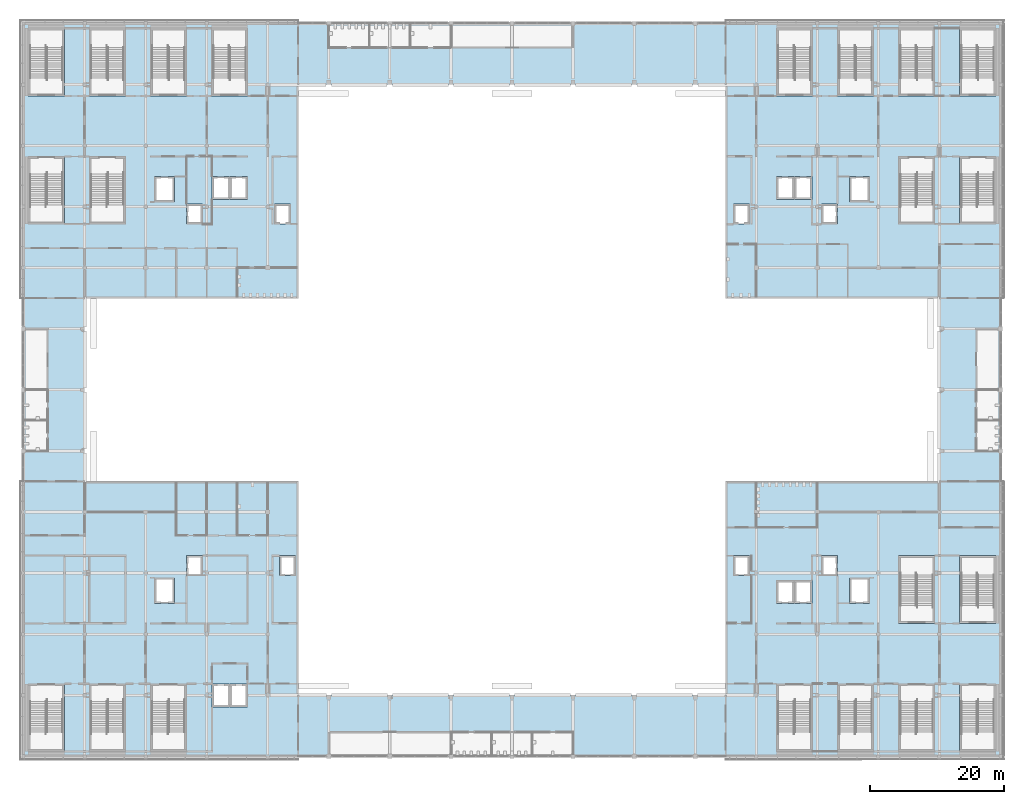
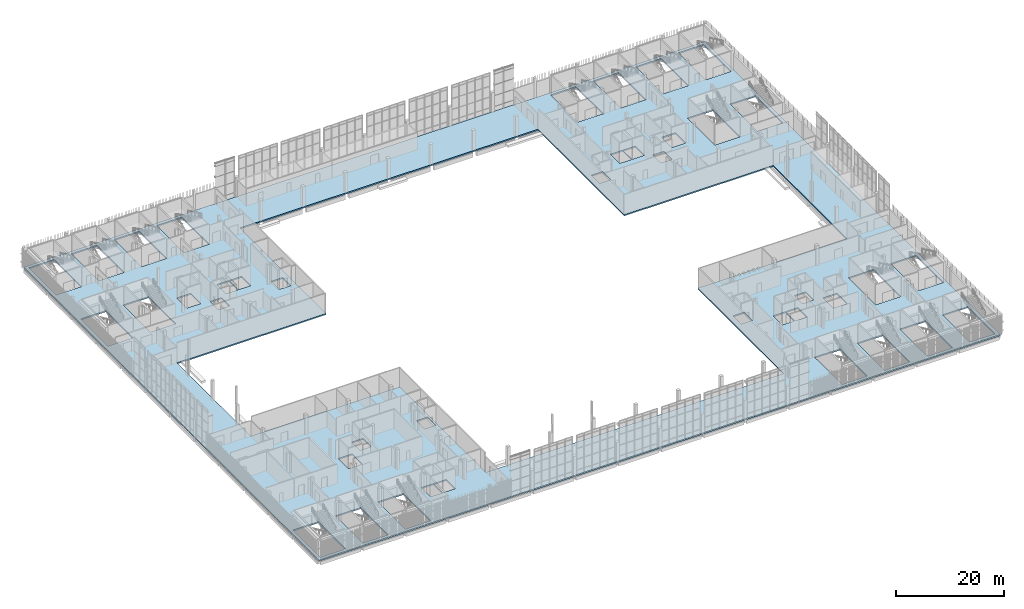
# One storey, part 34 of 91: 1 slab.
"""IFC4 building model written with IfcOpenShell, lengths in metres."""

from ifc_helpers import new_model, si_unit, direction, frame, origin, place, context, subcontext, project, spatial, polyline, outline, extrude, material, layer, layer_set, type_object, element, save


model = new_model("IFC4")

# Units and contexts
model_context = context("Model", 3, precision=1e-05, world=origin(), true_north=direction((0.0, 1.0)))
body_context = subcontext(model_context, "Body", "Model", "MODEL_VIEW")
ifc_project = project(units=[si_unit("LENGTHUNIT", "METRE"), si_unit("AREAUNIT", "SQUARE_METRE"), si_unit("VOLUMEUNIT", "CUBIC_METRE"), si_unit("PLANEANGLEUNIT", "RADIAN"), si_unit("MASSUNIT", "GRAM", prefix="KILO")], contexts=[model_context])

# Site, building, storey
site_placement = place(None, origin())
site = spatial("IfcSite", under=ifc_project, at=site_placement, CompositionType="ELEMENT")
building_placement = place(site_placement, origin())
building = spatial("IfcBuilding", under=site, at=building_placement, Name="Shirokan Park Arena", CompositionType="ELEMENT")
storey_placement = place(building_placement, frame((0.0, 0.0, 24.570068359375)))
storey = spatial("IfcBuildingStorey", under=building, at=storey_placement, Name="L05", CompositionType="ELEMENT", Elevation=24.570068359375)

# Slab
ifc_material = material(Name="Concrete C35", Category="concrete")
ifc_layer = layer(ifc_material, 0.300048828125)
ifc_layer_set = layer_set([ifc_layer], Name="Concrete C35 300 mm")
slab_type = type_object("IfcSlabType", Name="RC floor slab 300", PredefinedType="FLOOR", material=ifc_layer_set)
slab_placement = place(storey_placement, frame((0.0, 0.0, -0.300048828125)))
element("IfcSlab", 1, at=slab_placement, inside=storey, type_object=slab_type, Name="Floor slab L05", PredefinedType="FLOOR", context=body_context, shape_type="SweptSolid", body=[
    extrude(outline(polyline([(0.0, 109.199951171875), (145.60009765625, 109.199951171875), (145.60009765625, 0.0), (0.0, 0.0), (0.0, 109.199951171875)]), holes=[polyline([(136.5, 40.949951171875), (136.5, 68.25), (104.64990234375, 68.25), (104.64990234375, 100.10009765625), (40.949951171875, 100.10009765625), (40.949951171875, 68.25), (9.10009765625, 68.25), (9.10009765625, 40.949951171875), (40.949951171875, 40.949951171875), (40.949951171875, 9.10009765625), (104.64990234375, 9.10009765625), (104.64990234375, 40.949951171875), (136.5, 40.949951171875)]), polyline([(6.10009765625, 0.699951171875), (6.10009765625, 10.800048828125), (0.699951171875, 10.800048828125), (0.699951171875, 0.699951171875), (6.10009765625, 0.699951171875)]), polyline([(15.199951171875, 0.699951171875), (15.199951171875, 10.800048828125), (9.800048828125, 10.800048828125), (9.800048828125, 0.699951171875), (15.199951171875, 0.699951171875)]), polyline([(24.300048828125, 0.699951171875), (24.300048828125, 10.800048828125), (18.89990234375, 10.800048828125), (18.89990234375, 0.699951171875), (24.300048828125, 0.699951171875)]), polyline([(28.10009765625, 7.35009765625), (30.699951171875, 7.35009765625), (30.699951171875, 10.75), (28.10009765625, 10.75), (28.10009765625, 7.35009765625)]), polyline([(19.5, 22.800048828125), (22.5, 22.800048828125), (22.5, 26.60009765625), (19.5, 26.60009765625), (19.5, 22.800048828125)]), polyline([(26.699951171875, 26.89990234375), (26.699951171875, 29.89990234375), (24.300048828125, 29.89990234375), (24.300048828125, 26.89990234375), (26.699951171875, 26.89990234375)]), polyline([(26.699951171875, 79.300048828125), (26.699951171875, 82.300048828125), (24.300048828125, 82.300048828125), (24.300048828125, 79.300048828125), (26.699951171875, 79.300048828125)]), polyline([(6.10009765625, 79.300048828125), (6.10009765625, 89.39990234375), (0.699951171875, 89.39990234375), (0.699951171875, 79.300048828125), (6.10009765625, 79.300048828125)]), polyline([(9.800048828125, 79.300048828125), (15.199951171875, 79.300048828125), (15.199951171875, 89.39990234375), (9.800048828125, 89.39990234375), (9.800048828125, 79.300048828125)]), polyline([(19.5, 82.60009765625), (22.5, 82.60009765625), (22.5, 86.39990234375), (19.5, 86.39990234375), (19.5, 82.60009765625)]), polyline([(30.699951171875, 83.0), (30.699951171875, 86.39990234375), (28.10009765625, 86.39990234375), (28.10009765625, 83.0), (30.699951171875, 83.0)]), polyline([(6.10009765625, 98.39990234375), (6.10009765625, 108.5), (0.699951171875, 108.5), (0.699951171875, 98.39990234375), (6.10009765625, 98.39990234375)]), polyline([(15.199951171875, 98.39990234375), (15.199951171875, 108.5), (9.800048828125, 108.5), (9.800048828125, 98.39990234375), (15.199951171875, 98.39990234375)]), polyline([(18.89990234375, 98.39990234375), (24.300048828125, 98.39990234375), (24.300048828125, 108.5), (18.89990234375, 108.5), (18.89990234375, 98.39990234375)]), polyline([(112.199951171875, 0.699951171875), (117.60009765625, 0.699951171875), (117.60009765625, 10.800048828125), (112.199951171875, 10.800048828125), (112.199951171875, 0.699951171875)]), polyline([(33.39990234375, 7.35009765625), (33.39990234375, 10.75), (30.800048828125, 10.75), (30.800048828125, 7.35009765625), (33.39990234375, 7.35009765625)]), polyline([(114.800048828125, 22.800048828125), (114.800048828125, 26.199951171875), (112.199951171875, 26.199951171875), (112.199951171875, 22.800048828125), (114.800048828125, 22.800048828125)]), polyline([(117.5, 22.800048828125), (117.5, 26.199951171875), (114.89990234375, 26.199951171875), (114.89990234375, 22.800048828125), (117.5, 22.800048828125)]), polyline([(38.14990234375, 26.89990234375), (40.550048828125, 26.89990234375), (40.550048828125, 29.89990234375), (38.14990234375, 29.89990234375), (38.14990234375, 26.89990234375)]), polyline([(105.800048828125, 26.89990234375), (108.199951171875, 26.89990234375), (108.199951171875, 29.89990234375), (105.800048828125, 29.89990234375), (105.800048828125, 26.89990234375)]), polyline([(39.800048828125, 79.300048828125), (39.800048828125, 82.300048828125), (37.39990234375, 82.300048828125), (37.39990234375, 79.300048828125), (39.800048828125, 79.300048828125)]), polyline([(108.199951171875, 79.300048828125), (108.199951171875, 82.300048828125), (105.800048828125, 82.300048828125), (105.800048828125, 79.300048828125), (108.199951171875, 79.300048828125)]), polyline([(121.300048828125, 79.300048828125), (121.300048828125, 82.300048828125), (118.89990234375, 82.300048828125), (118.89990234375, 79.300048828125), (121.300048828125, 79.300048828125)]), polyline([(30.800048828125, 83.0), (33.39990234375, 83.0), (33.39990234375, 86.39990234375), (30.800048828125, 86.39990234375), (30.800048828125, 83.0)]), polyline([(112.199951171875, 83.0), (114.800048828125, 83.0), (114.800048828125, 86.39990234375), (112.199951171875, 86.39990234375), (112.199951171875, 83.0)]), polyline([(117.5, 83.0), (117.5, 86.39990234375), (114.89990234375, 86.39990234375), (114.89990234375, 83.0), (117.5, 83.0)]), polyline([(33.39990234375, 98.39990234375), (33.39990234375, 108.5), (28.0, 108.5), (28.0, 98.39990234375), (33.39990234375, 98.39990234375)]), polyline([(117.60009765625, 98.39990234375), (117.60009765625, 108.5), (112.199951171875, 108.5), (112.199951171875, 98.39990234375), (117.60009765625, 98.39990234375)]), polyline([(121.300048828125, 0.699951171875), (126.699951171875, 0.699951171875), (126.699951171875, 10.800048828125), (121.300048828125, 10.800048828125), (121.300048828125, 0.699951171875)]), polyline([(130.39990234375, 0.699951171875), (135.800048828125, 0.699951171875), (135.800048828125, 10.800048828125), (130.39990234375, 10.800048828125), (130.39990234375, 0.699951171875)]), polyline([(144.89990234375, 0.699951171875), (144.89990234375, 10.800048828125), (139.5, 10.800048828125), (139.5, 0.699951171875), (144.89990234375, 0.699951171875)]), polyline([(126.10009765625, 22.800048828125), (126.10009765625, 26.60009765625), (123.10009765625, 26.60009765625), (123.10009765625, 22.800048828125), (126.10009765625, 22.800048828125)]), polyline([(135.800048828125, 19.800048828125), (135.800048828125, 29.89990234375), (130.39990234375, 29.89990234375), (130.39990234375, 19.800048828125), (135.800048828125, 19.800048828125)]), polyline([(139.5, 19.800048828125), (144.89990234375, 19.800048828125), (144.89990234375, 29.89990234375), (139.5, 29.89990234375), (139.5, 19.800048828125)]), polyline([(118.89990234375, 26.89990234375), (121.300048828125, 26.89990234375), (121.300048828125, 29.89990234375), (118.89990234375, 29.89990234375), (118.89990234375, 26.89990234375)]), polyline([(135.800048828125, 79.300048828125), (135.800048828125, 89.39990234375), (130.39990234375, 89.39990234375), (130.39990234375, 79.300048828125), (135.800048828125, 79.300048828125)]), polyline([(139.5, 79.300048828125), (144.89990234375, 79.300048828125), (144.89990234375, 89.39990234375), (139.5, 89.39990234375), (139.5, 79.300048828125)]), polyline([(123.10009765625, 82.60009765625), (126.10009765625, 82.60009765625), (126.10009765625, 86.39990234375), (123.10009765625, 86.39990234375), (123.10009765625, 82.60009765625)]), polyline([(126.699951171875, 98.39990234375), (126.699951171875, 108.5), (121.300048828125, 108.5), (121.300048828125, 98.39990234375), (126.699951171875, 98.39990234375)]), polyline([(130.39990234375, 98.39990234375), (135.800048828125, 98.39990234375), (135.800048828125, 108.5), (130.39990234375, 108.5), (130.39990234375, 98.39990234375)]), polyline([(139.5, 98.39990234375), (144.89990234375, 98.39990234375), (144.89990234375, 108.5), (139.5, 108.5), (139.5, 98.39990234375)])]), origin(), (0.0, 0.0, 1.0), 0.300048828125),
])

save(model, "model.ifc")
